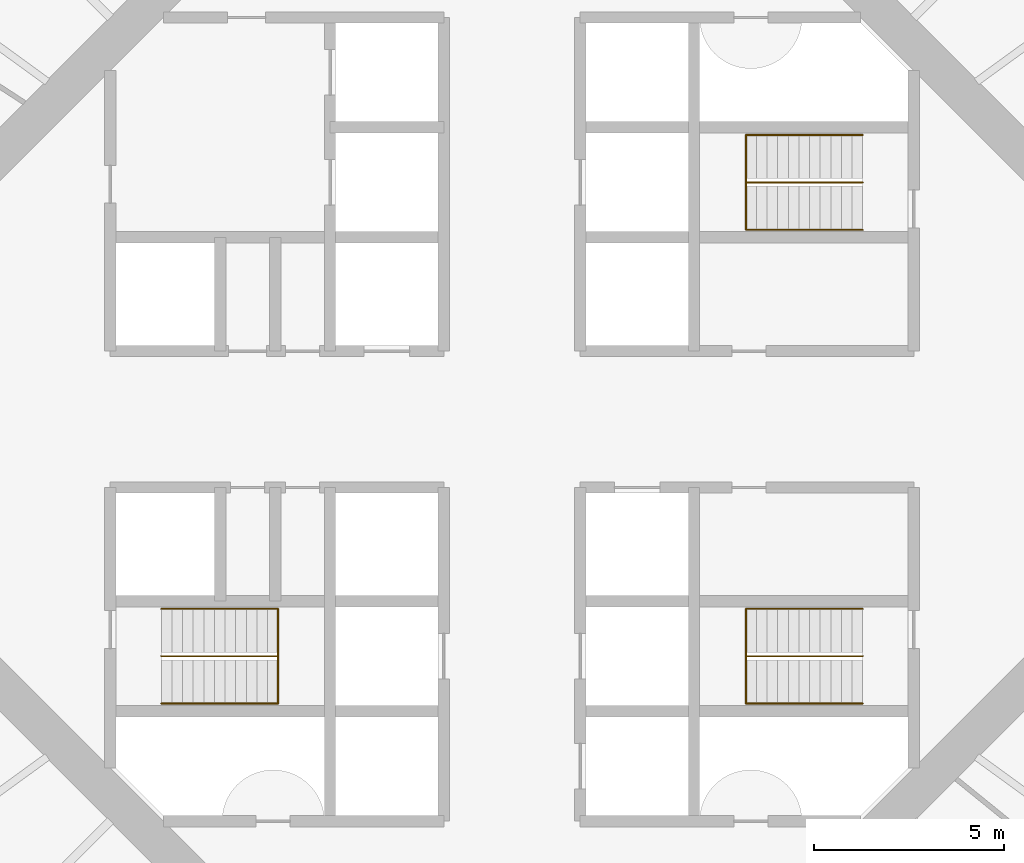
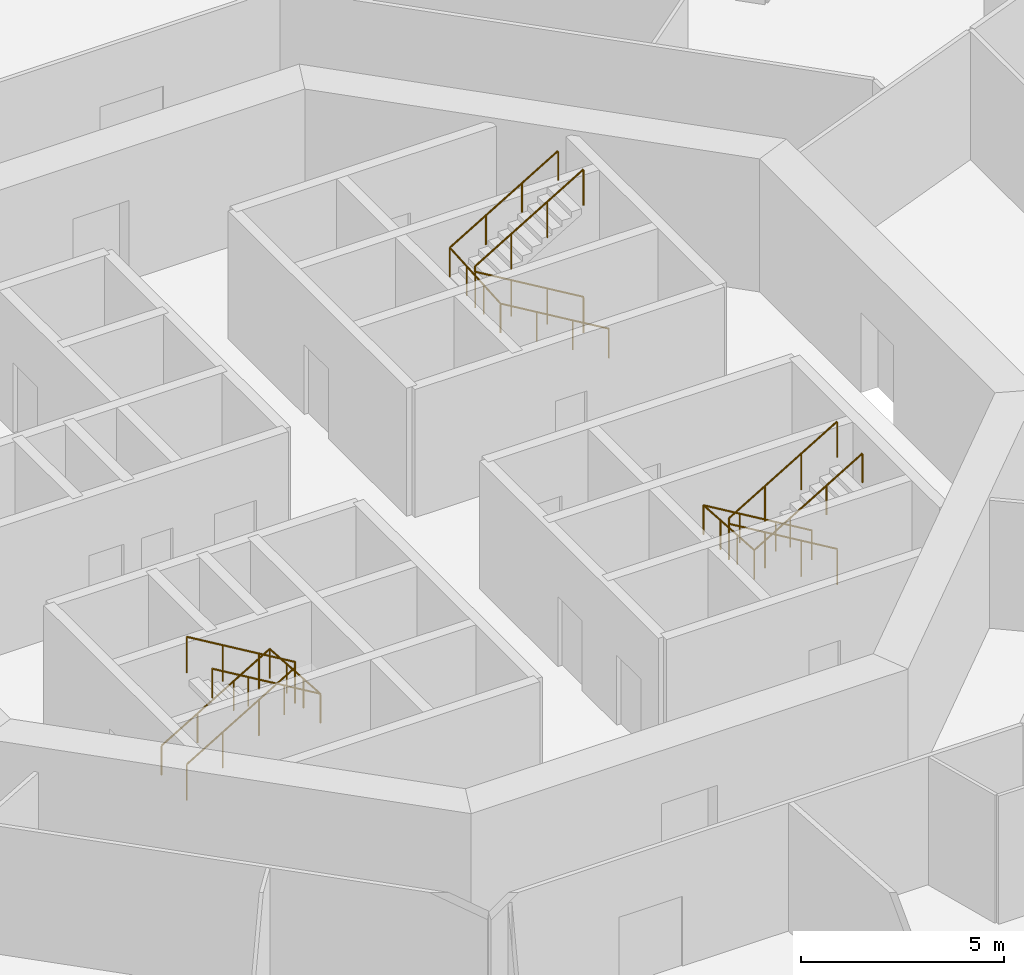
# One storey, part 13 of 13: 6 railings.
"""IFC4 building model written with IfcOpenShell, lengths in metres."""

from ifc_helpers import new_model, si_unit, direction, frame, origin, origin_2d, place, context, subcontext, project, spatial, circle, extrude, material, type_object, element, save


model = new_model("IFC4")

# Units and contexts
model_context = context("Model", 3, precision=1e-05, world=origin(), true_north=direction((0.0, 1.0)))
body_context = subcontext(model_context, "Body", "Model", "MODEL_VIEW")
ifc_project = project(units=[si_unit("LENGTHUNIT", "METRE"), si_unit("AREAUNIT", "SQUARE_METRE"), si_unit("VOLUMEUNIT", "CUBIC_METRE"), si_unit("PLANEANGLEUNIT", "RADIAN"), si_unit("MASSUNIT", "GRAM", prefix="KILO")], contexts=[model_context])

# Site, building, storey
site_placement = place(None, origin())
site = spatial("IfcSite", under=ifc_project, at=site_placement, CompositionType="ELEMENT")
building_placement = place(site_placement, origin())
building = spatial("IfcBuilding", under=site, at=building_placement, Name="Entoto Ring Tower", CompositionType="ELEMENT")
storey_placement = place(building_placement, frame((0.0, 0.0, 180.0)))
storey = spatial("IfcBuildingStorey", under=building, at=storey_placement, Name="L41", CompositionType="ELEMENT", Elevation=180.0)

# Railings
ifc_material_1 = material(Name="Steel S275", Category="steel")
railing_type_1 = type_object("IfcRailingType", Name="Stair guard 1100 mm steel", PredefinedType="GUARDRAIL", material=ifc_material_1)
railing_1_placement = place(storey_placement, frame((99.25, 86.25, 0.166748046875)))
element("IfcRailing", 1, at=railing_1_placement, inside=storey, type_object=railing_type_1, Name="Guard ST1", PredefinedType="GUARDRAIL", context=body_context, shape_type="SweptSolid", body=[
    extrude(circle(Radius=0.02392578125, at=origin_2d()), frame((0.0, 0.0, 1.076171875), z_axis=(-0.859308565015, 0.0, 0.511457515432), x_axis=(0.0, -1.0, 0.0)), (0.0, 0.0, 1.0), 3.58447265625),
    extrude(circle(Radius=0.02392578125, at=origin_2d()), frame((-3.080078125, 0.0, 2.9091796875), z_axis=(0.0, 0.0, 1.0), x_axis=(1.0, 0.0, 0.0)), (0.0, 0.0, 1.0), 0.166748046875),
    extrude(circle(Radius=0.02392578125, at=origin_2d()), frame((-3.080078125, 0.0, 3.076171875), z_axis=(0.859308565015, 0.0, 0.511457515432), x_axis=(0.0, 1.0, 0.0)), (0.0, 0.0, 1.0), 3.58447265625),
    extrude(circle(Radius=0.02099609375, at=origin_2d()), origin(), (0.0, 0.0, 1.0), 1.052001953125),
    extrude(circle(Radius=0.02099609375, at=origin_2d()), frame((-1.026611328125, 0.0, 0.611083984375)), (0.0, 0.0, 1.0), 1.052001953125),
    extrude(circle(Radius=0.02099609375, at=origin_2d()), frame((-2.053466796875, 0.0, 1.22216796875)), (0.0, 0.0, 1.0), 1.052001953125),
    extrude(circle(Radius=0.02099609375, at=origin_2d()), frame((-3.080078125, 0.0, 1.833251953125)), (0.0, 0.0, 1.0), 1.052001953125),
    extrude(circle(Radius=0.02099609375, at=origin_2d()), frame((-3.080078125, 0.0, 2.0)), (0.0, 0.0, 1.0), 1.052001953125),
    extrude(circle(Radius=0.02099609375, at=origin_2d()), frame((-2.053466796875, 0.0, 2.611083984375)), (0.0, 0.0, 1.0), 1.052001953125),
    extrude(circle(Radius=0.02099609375, at=origin_2d()), frame((-1.026611328125, 0.0, 3.22216796875)), (0.0, 0.0, 1.0), 1.052001953125),
    extrude(circle(Radius=0.02099609375, at=origin_2d()), frame((0.0, 0.0, 3.833251953125)), (0.0, 0.0, 1.0), 1.052001953125),
])
railing_2_placement = place(storey_placement, frame((80.75, 73.75, 0.166748046875)))
element("IfcRailing", 2, at=railing_2_placement, inside=storey, type_object=railing_type_1, Name="Guard ST2", PredefinedType="GUARDRAIL", context=body_context, shape_type="SweptSolid", body=[
    extrude(circle(Radius=0.02392578125, at=origin_2d()), frame((0.0, 0.0, 1.076171875), z_axis=(0.859308565015, 0.0, 0.511457515432), x_axis=(0.0, 1.0, 0.0)), (0.0, 0.0, 1.0), 3.58447265625),
    extrude(circle(Radius=0.02392578125, at=origin_2d()), frame((3.080078125, 0.0, 2.9091796875), z_axis=(0.0, 0.0, 1.0), x_axis=(1.0, 0.0, 0.0)), (0.0, 0.0, 1.0), 0.166748046875),
    extrude(circle(Radius=0.02392578125, at=origin_2d()), frame((3.080078125, 0.0, 3.076171875), z_axis=(-0.859308565015, 0.0, 0.511457515432), x_axis=(0.0, -1.0, 0.0)), (0.0, 0.0, 1.0), 3.58447265625),
    extrude(circle(Radius=0.02099609375, at=origin_2d()), origin(), (0.0, 0.0, 1.0), 1.052001953125),
    extrude(circle(Radius=0.02099609375, at=origin_2d()), frame((1.026611328125, 0.0, 0.611083984375)), (0.0, 0.0, 1.0), 1.052001953125),
    extrude(circle(Radius=0.02099609375, at=origin_2d()), frame((2.053466796875, 0.0, 1.22216796875)), (0.0, 0.0, 1.0), 1.052001953125),
    extrude(circle(Radius=0.02099609375, at=origin_2d()), frame((3.080078125, 0.0, 1.833251953125)), (0.0, 0.0, 1.0), 1.052001953125),
    extrude(circle(Radius=0.02099609375, at=origin_2d()), frame((3.080078125, 0.0, 2.0)), (0.0, 0.0, 1.0), 1.052001953125),
    extrude(circle(Radius=0.02099609375, at=origin_2d()), frame((2.053466796875, 0.0, 2.611083984375)), (0.0, 0.0, 1.0), 1.052001953125),
    extrude(circle(Radius=0.02099609375, at=origin_2d()), frame((1.026611328125, 0.0, 3.22216796875)), (0.0, 0.0, 1.0), 1.052001953125),
    extrude(circle(Radius=0.02099609375, at=origin_2d()), frame((0.0, 0.0, 3.833251953125)), (0.0, 0.0, 1.0), 1.052001953125),
])
railing_3_placement = place(storey_placement, frame((99.25, 73.75, 0.166748046875)))
element("IfcRailing", 3, at=railing_3_placement, inside=storey, type_object=railing_type_1, Name="Guard ST3", PredefinedType="GUARDRAIL", context=body_context, shape_type="SweptSolid", body=[
    extrude(circle(Radius=0.02392578125, at=origin_2d()), frame((0.0, 0.0, 1.076171875), z_axis=(-0.859308565015, 0.0, 0.511457515432), x_axis=(0.0, -1.0, 0.0)), (0.0, 0.0, 1.0), 3.58447265625),
    extrude(circle(Radius=0.02392578125, at=origin_2d()), frame((-3.080078125, 0.0, 2.9091796875), z_axis=(0.0, 0.0, 1.0), x_axis=(1.0, 0.0, 0.0)), (0.0, 0.0, 1.0), 0.166748046875),
    extrude(circle(Radius=0.02392578125, at=origin_2d()), frame((-3.080078125, 0.0, 3.076171875), z_axis=(0.859308565015, 0.0, 0.511457515432), x_axis=(0.0, 1.0, 0.0)), (0.0, 0.0, 1.0), 3.58447265625),
    extrude(circle(Radius=0.02099609375, at=origin_2d()), origin(), (0.0, 0.0, 1.0), 1.052001953125),
    extrude(circle(Radius=0.02099609375, at=origin_2d()), frame((-1.026611328125, 0.0, 0.611083984375)), (0.0, 0.0, 1.0), 1.052001953125),
    extrude(circle(Radius=0.02099609375, at=origin_2d()), frame((-2.053466796875, 0.0, 1.22216796875)), (0.0, 0.0, 1.0), 1.052001953125),
    extrude(circle(Radius=0.02099609375, at=origin_2d()), frame((-3.080078125, 0.0, 1.833251953125)), (0.0, 0.0, 1.0), 1.052001953125),
    extrude(circle(Radius=0.02099609375, at=origin_2d()), frame((-3.080078125, 0.0, 2.0)), (0.0, 0.0, 1.0), 1.052001953125),
    extrude(circle(Radius=0.02099609375, at=origin_2d()), frame((-2.053466796875, 0.0, 2.611083984375)), (0.0, 0.0, 1.0), 1.052001953125),
    extrude(circle(Radius=0.02099609375, at=origin_2d()), frame((-1.026611328125, 0.0, 3.22216796875)), (0.0, 0.0, 1.0), 1.052001953125),
    extrude(circle(Radius=0.02099609375, at=origin_2d()), frame((0.0, 0.0, 3.833251953125)), (0.0, 0.0, 1.0), 1.052001953125),
])
ifc_material_2 = material(Name="Steel S275", Category="steel")
railing_type_2 = type_object("IfcRailingType", Name="Stair handrail 900 mm steel", PredefinedType="HANDRAIL", material=ifc_material_2)
railing_4_placement = place(storey_placement, frame((99.25, 85.0, 0.166748046875)))
element("IfcRailing", 4, at=railing_4_placement, inside=storey, type_object=railing_type_2, Name="Handrail ST1", PredefinedType="HANDRAIL", context=body_context, shape_type="SweptSolid", body=[
    extrude(circle(Radius=0.02392578125, at=origin_2d()), frame((0.0, 0.0, 0.8759765625), z_axis=(-0.859308565015, 0.0, 0.511457515432), x_axis=(0.0, -1.0, 0.0)), (0.0, 0.0, 1.0), 3.58447265625),
    extrude(circle(Radius=0.02392578125, at=origin_2d()), frame((-3.080078125, 0.0, 2.708984375), z_axis=(0.0, 0.997783001586, 0.066551346688), x_axis=(-1.0, 0.0, 0.0)), (0.0, 0.0, 1.0), 2.505615234375),
    extrude(circle(Radius=0.02392578125, at=origin_2d()), frame((-3.080078125, 2.5, 2.8759765625), z_axis=(0.859308565015, 0.0, 0.511457515432), x_axis=(0.0, 1.0, 0.0)), (0.0, 0.0, 1.0), 3.58447265625),
    extrude(circle(Radius=0.02099609375, at=origin_2d()), origin(), (0.0, 0.0, 1.0), 0.851806640625),
    extrude(circle(Radius=0.02099609375, at=origin_2d()), frame((-1.026611328125, 0.0, 0.611083984375)), (0.0, 0.0, 1.0), 0.851806640625),
    extrude(circle(Radius=0.02099609375, at=origin_2d()), frame((-2.053466796875, 0.0, 1.22216796875)), (0.0, 0.0, 1.0), 0.851806640625),
    extrude(circle(Radius=0.02099609375, at=origin_2d()), frame((-3.080078125, 0.0, 1.833251953125)), (0.0, 0.0, 1.0), 0.851806640625),
    extrude(circle(Radius=0.02099609375, at=origin_2d()), frame((-3.080078125, 0.833251953125, 1.888916015625)), (0.0, 0.0, 1.0), 0.851806640625),
    extrude(circle(Radius=0.02099609375, at=origin_2d()), frame((-3.080078125, 1.666748046875, 1.9443359375)), (0.0, 0.0, 1.0), 0.851806640625),
    extrude(circle(Radius=0.02099609375, at=origin_2d()), frame((-3.080078125, 2.5, 2.0)), (0.0, 0.0, 1.0), 0.851806640625),
    extrude(circle(Radius=0.02099609375, at=origin_2d()), frame((-2.053466796875, 2.5, 2.611083984375)), (0.0, 0.0, 1.0), 0.851806640625),
    extrude(circle(Radius=0.02099609375, at=origin_2d()), frame((-1.026611328125, 2.5, 3.22216796875)), (0.0, 0.0, 1.0), 0.851806640625),
    extrude(circle(Radius=0.02099609375, at=origin_2d()), frame((0.0, 2.5, 3.833251953125)), (0.0, 0.0, 1.0), 0.851806640625),
])
railing_5_placement = place(storey_placement, frame((80.75, 75.0, 0.166748046875)))
element("IfcRailing", 5, at=railing_5_placement, inside=storey, type_object=railing_type_2, Name="Handrail ST2", PredefinedType="HANDRAIL", context=body_context, shape_type="SweptSolid", body=[
    extrude(circle(Radius=0.02392578125, at=origin_2d()), frame((0.0, 0.0, 0.8759765625), z_axis=(0.859308565015, 0.0, 0.511457515432), x_axis=(0.0, 1.0, 0.0)), (0.0, 0.0, 1.0), 3.58447265625),
    extrude(circle(Radius=0.02392578125, at=origin_2d()), frame((3.080078125, 0.0, 2.708984375), z_axis=(0.0, -0.997783001586, 0.066551346688), x_axis=(1.0, 0.0, 0.0)), (0.0, 0.0, 1.0), 2.505615234375),
    extrude(circle(Radius=0.02392578125, at=origin_2d()), frame((3.080078125, -2.5, 2.8759765625), z_axis=(-0.859308565015, 0.0, 0.511457515432), x_axis=(0.0, -1.0, 0.0)), (0.0, 0.0, 1.0), 3.58447265625),
    extrude(circle(Radius=0.02099609375, at=origin_2d()), origin(), (0.0, 0.0, 1.0), 0.851806640625),
    extrude(circle(Radius=0.02099609375, at=origin_2d()), frame((1.026611328125, 0.0, 0.611083984375)), (0.0, 0.0, 1.0), 0.851806640625),
    extrude(circle(Radius=0.02099609375, at=origin_2d()), frame((2.053466796875, 0.0, 1.22216796875)), (0.0, 0.0, 1.0), 0.851806640625),
    extrude(circle(Radius=0.02099609375, at=origin_2d()), frame((3.080078125, 0.0, 1.833251953125)), (0.0, 0.0, 1.0), 0.851806640625),
    extrude(circle(Radius=0.02099609375, at=origin_2d()), frame((3.080078125, -0.833251953125, 1.888916015625)), (0.0, 0.0, 1.0), 0.851806640625),
    extrude(circle(Radius=0.02099609375, at=origin_2d()), frame((3.080078125, -1.666748046875, 1.9443359375)), (0.0, 0.0, 1.0), 0.851806640625),
    extrude(circle(Radius=0.02099609375, at=origin_2d()), frame((3.080078125, -2.5, 2.0)), (0.0, 0.0, 1.0), 0.851806640625),
    extrude(circle(Radius=0.02099609375, at=origin_2d()), frame((2.053466796875, -2.5, 2.611083984375)), (0.0, 0.0, 1.0), 0.851806640625),
    extrude(circle(Radius=0.02099609375, at=origin_2d()), frame((1.026611328125, -2.5, 3.22216796875)), (0.0, 0.0, 1.0), 0.851806640625),
    extrude(circle(Radius=0.02099609375, at=origin_2d()), frame((0.0, -2.5, 3.833251953125)), (0.0, 0.0, 1.0), 0.851806640625),
])
railing_6_placement = place(storey_placement, frame((99.25, 75.0, 0.166748046875)))
element("IfcRailing", 6, at=railing_6_placement, inside=storey, type_object=railing_type_2, Name="Handrail ST3", PredefinedType="HANDRAIL", context=body_context, shape_type="SweptSolid", body=[
    extrude(circle(Radius=0.02392578125, at=origin_2d()), frame((0.0, 0.0, 0.8759765625), z_axis=(-0.859308565015, 0.0, 0.511457515432), x_axis=(0.0, -1.0, 0.0)), (0.0, 0.0, 1.0), 3.58447265625),
    extrude(circle(Radius=0.02392578125, at=origin_2d()), frame((-3.080078125, 0.0, 2.708984375), z_axis=(0.0, -0.997783001586, 0.066551346688), x_axis=(1.0, 0.0, 0.0)), (0.0, 0.0, 1.0), 2.505615234375),
    extrude(circle(Radius=0.02392578125, at=origin_2d()), frame((-3.080078125, -2.5, 2.8759765625), z_axis=(0.859308565015, 0.0, 0.511457515432), x_axis=(0.0, 1.0, 0.0)), (0.0, 0.0, 1.0), 3.58447265625),
    extrude(circle(Radius=0.02099609375, at=origin_2d()), origin(), (0.0, 0.0, 1.0), 0.851806640625),
    extrude(circle(Radius=0.02099609375, at=origin_2d()), frame((-1.026611328125, 0.0, 0.611083984375)), (0.0, 0.0, 1.0), 0.851806640625),
    extrude(circle(Radius=0.02099609375, at=origin_2d()), frame((-2.053466796875, 0.0, 1.22216796875)), (0.0, 0.0, 1.0), 0.851806640625),
    extrude(circle(Radius=0.02099609375, at=origin_2d()), frame((-3.080078125, 0.0, 1.833251953125)), (0.0, 0.0, 1.0), 0.851806640625),
    extrude(circle(Radius=0.02099609375, at=origin_2d()), frame((-3.080078125, -0.833251953125, 1.888916015625)), (0.0, 0.0, 1.0), 0.851806640625),
    extrude(circle(Radius=0.02099609375, at=origin_2d()), frame((-3.080078125, -1.666748046875, 1.9443359375)), (0.0, 0.0, 1.0), 0.851806640625),
    extrude(circle(Radius=0.02099609375, at=origin_2d()), frame((-3.080078125, -2.5, 2.0)), (0.0, 0.0, 1.0), 0.851806640625),
    extrude(circle(Radius=0.02099609375, at=origin_2d()), frame((-2.053466796875, -2.5, 2.611083984375)), (0.0, 0.0, 1.0), 0.851806640625),
    extrude(circle(Radius=0.02099609375, at=origin_2d()), frame((-1.026611328125, -2.5, 3.22216796875)), (0.0, 0.0, 1.0), 0.851806640625),
    extrude(circle(Radius=0.02099609375, at=origin_2d()), frame((0.0, -2.5, 3.833251953125)), (0.0, 0.0, 1.0), 0.851806640625),
])

save(model, "model.ifc")
